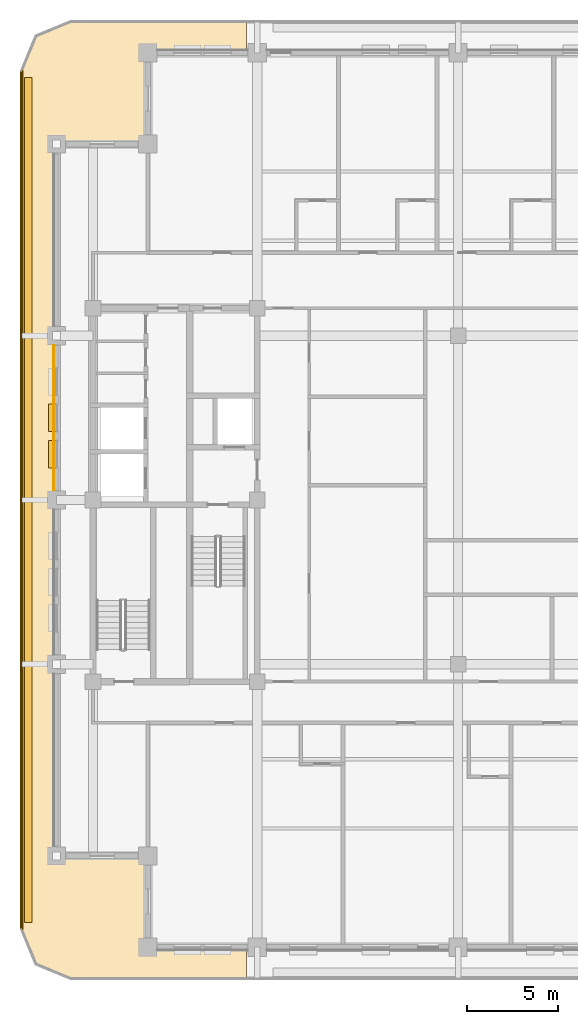
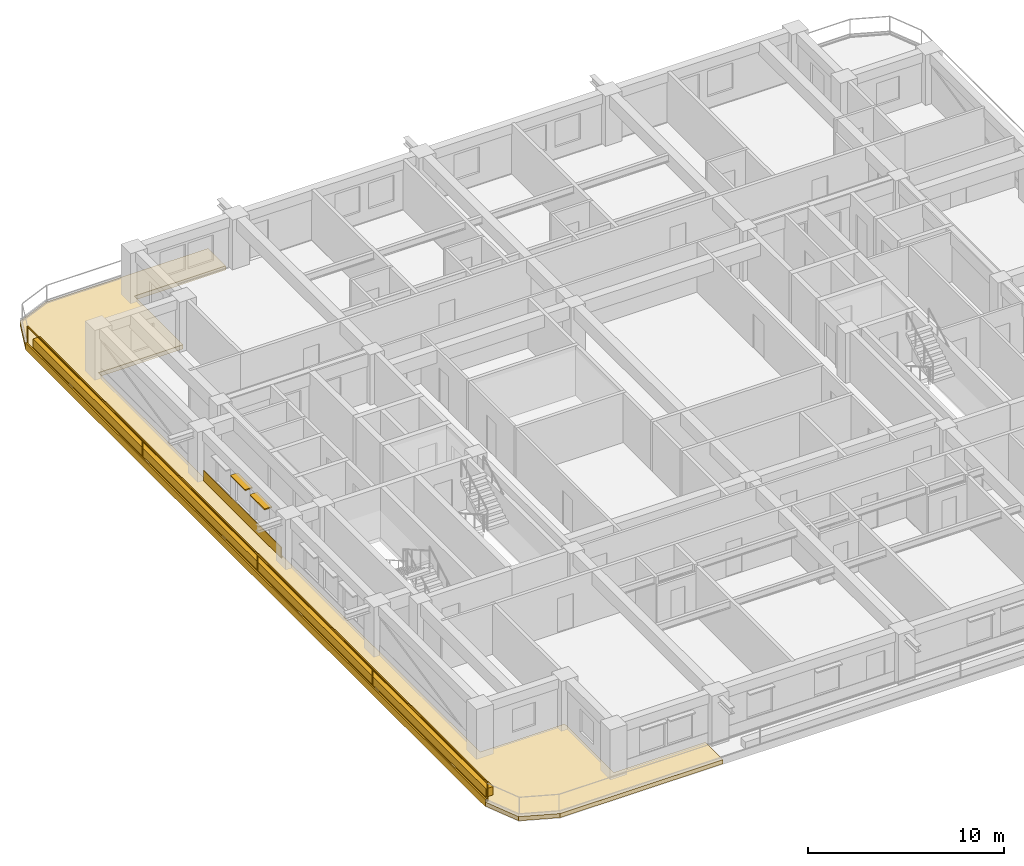
# One storey, part 11 of 15: 4 coverings, 2 shading devices, 1 railing.
"""IFC4 building model written with IfcOpenShell, lengths in metres."""

from ifc_helpers import new_model, si_unit, direction, frame, frame_2d, origin, origin_2d, place, context, subcontext, project, spatial, polyline, rectangle, outline, extrude, material, layer, layer_set, type_object, element, save


model = new_model("IFC4")

# Units and contexts
model_context = context("Model", 3, precision=1e-05, world=origin(), true_north=direction((0.0, 1.0)))
body_context = subcontext(model_context, "Body", "Model", "MODEL_VIEW")
ifc_project = project(units=[si_unit("LENGTHUNIT", "METRE"), si_unit("AREAUNIT", "SQUARE_METRE"), si_unit("VOLUMEUNIT", "CUBIC_METRE"), si_unit("PLANEANGLEUNIT", "RADIAN"), si_unit("MASSUNIT", "GRAM", prefix="KILO")], contexts=[model_context])

# Site, building, storey
site_placement = place(None, origin())
site = spatial("IfcSite", under=ifc_project, at=site_placement, CompositionType="ELEMENT")
building_placement = place(site_placement, origin())
building = spatial("IfcBuilding", under=site, at=building_placement, Name="Zulmaris Gate Convention Tower", CompositionType="ELEMENT")
storey_placement = place(building_placement, frame((0.0, 0.0, 172.85986328125)))
storey = spatial("IfcBuildingStorey", under=building, at=storey_placement, Name="L44", CompositionType="ELEMENT", Elevation=172.85986328125)

# Coverings
ifc_material_1 = material(Name="Precast concrete C40/50", Category="concrete")
ifc_layer_1 = layer(ifc_material_1, 0.0400390625, Name="Precast concrete C40/50")
ifc_layer_set_1 = layer_set([ifc_layer_1], Name="Precast concrete C40/50")
covering_type_1 = type_object("IfcCoveringType", Name="CLAD-SPANDREL-PRECAST", PredefinedType="CLADDING", material=ifc_layer_set_1)
covering_1_placement = place(storey_placement, frame((-22.14990234375, 8.469970703125, 0.0), z_axis=(0.0, 0.0, 1.0), x_axis=(0.0, -1.0, 0.0)))
element("IfcCovering", 1, at=covering_1_placement, inside=storey, type_object=covering_type_1, Name="CLD-L44-W-2_0", PredefinedType="CLADDING", context=body_context, shape_type="SweptSolid", body=[
    extrude(rectangle(XDim=7.93994140625, YDim=0.0400390625, at=frame_2d((3.969970703125, 0.0))), origin(), (0.0, 0.0, 1.0), 0.679931640625),
])
ifc_material_2 = material(Name="White Glazed Architectural Precast Concrete C40/50", Category="concrete")
ifc_layer_2 = layer(ifc_material_2, 0.239990234375, Name="White Glazed Architectural Precast Concrete C40/50")
ifc_layer_set_2 = layer_set([ifc_layer_2], Name="White Glazed Architectural Precast Concrete C40/50")
covering_type_2 = type_object("IfcCoveringType", Name="CLAD-TRAY-DECK", PredefinedType="CLADDING", material=ifc_layer_set_2)
covering_2_placement = place(storey_placement, frame((0.0, 0.0, -0.25)))
element("IfcCovering", 2, at=covering_2_placement, inside=storey, type_object=covering_type_2, Name="L44 West Rounded-Fascia Planter Tray Deck", PredefinedType="CLADDING", context=body_context, shape_type="SweptSolid", body=[
    extrude(outline(polyline([(-24.0, 23.5), (-23.179931640625, 25.47998046875), (-21.199951171875, 26.300048828125), (-11.60205078125, 26.300048828125), (-11.60205078125, 24.5), (-17.0, 24.5), (-17.0, 19.5), (-22.0, 19.5), (-22.0, -19.5), (-17.0, -19.5), (-17.0, -24.5), (-11.60205078125, -24.5), (-11.60205078125, -26.300048828125), (-21.199951171875, -26.300048828125), (-23.179931640625, -25.47998046875), (-24.0, -23.5), (-24.0, 23.5)])), origin(), (0.0, 0.0, 1.0), 0.260009765625),
])
ifc_layer_3 = layer(ifc_material_2, 0.080078125, Name="White Glazed Architectural Precast Concrete C40/50")
ifc_layer_set_3 = layer_set([ifc_layer_3], Name="White Glazed Architectural Precast Concrete C40/50")
covering_type_3 = type_object("IfcCoveringType", Name="CLAD-TRAY-FASCIA", PredefinedType="CLADDING", material=ifc_layer_set_3)
covering_3_placement = place(storey_placement, frame((-23.9599609375, 23.5, -0.2900390625), z_axis=(0.0, 0.0, 1.0), x_axis=(0.0, -1.0, 0.0)))
element("IfcCovering", 3, at=covering_3_placement, inside=storey, type_object=covering_type_3, Name="FSC-L44-TR-11", PredefinedType="CLADDING", context=body_context, shape_type="SweptSolid", body=[
    extrude(rectangle(XDim=47.0, YDim=0.080078125, at=frame_2d((23.5, 0.0))), origin(), (0.0, 0.0, 1.0), 0.4599609375),
])
ifc_material_3 = material(Name="Botanical Green Glazed Precast Concrete C40/50", Category="concrete")
ifc_layer_4 = layer(ifc_material_3, 0.419921875, Name="Botanical Green Glazed Precast Concrete C40/50")
ifc_layer_set_4 = layer_set([ifc_layer_4], Name="Botanical Green Glazed Precast Concrete C40/50")
covering_type_4 = type_object("IfcCoveringType", Name="PLANTER-BOX-200", PredefinedType="CLADDING", material=ifc_layer_set_4)
covering_4_placement = place(storey_placement, frame((0.0, 0.0, 0.010009765625)))
element("IfcCovering", 4, at=covering_4_placement, inside=storey, type_object=covering_type_4, Name="L44 W Full-Length Balcony Tree Planter Trough", PredefinedType="CLADDING", context=body_context, shape_type="SweptSolid", body=[
    extrude(outline(polyline([(-23.760009765625, -23.14990234375), (-23.340087890625, -23.14990234375), (-23.340087890625, 23.14990234375), (-23.760009765625, 23.14990234375), (-23.760009765625, -23.14990234375)])), origin(), (0.0, 0.0, 1.0), 0.52001953125),
])

# Railing
ifc_material_4 = material(Name="Laminated Glass and Stainless Steel", Category="steel")
railing_type = type_object("IfcRailingType", Name="RL-BALC-1150", PredefinedType="BALUSTRADE", material=ifc_material_4)
railing_placement = place(storey_placement, frame((-23.8798828125, 23.5, 0.010009765625)))
element("IfcRailing", 5, at=railing_placement, inside=storey, type_object=railing_type, Name="RL-L44-BALC-W", PredefinedType="BALUSTRADE", context=body_context, shape_type="SweptSolid", body=[
    extrude(rectangle(XDim=0.048095703125, YDim=0.048095703125, at=origin_2d()), frame((0.0, 0.0, 1.1259765625), z_axis=(0.0, -1.0, 0.0), x_axis=(1.0, 0.0, 0.0)), (0.0, 0.0, 1.0), 47.0),
    extrude(rectangle(XDim=0.048095703125, YDim=0.048095703125, at=origin_2d()), frame((0.0, 0.0, 0.02392578125), z_axis=(0.0, -1.0, 0.0), x_axis=(1.0, 0.0, 0.0)), (0.0, 0.0, 1.0), 47.0),
    extrude(rectangle(XDim=0.0419921875, YDim=0.0419921875, at=origin_2d()), origin(), (0.0, 0.0, 1.0), 1.101806640625),
    extrude(rectangle(XDim=0.0419921875, YDim=0.0419921875, at=origin_2d()), frame((0.0, -11.75, 0.0)), (0.0, 0.0, 1.0), 1.101806640625),
    extrude(rectangle(XDim=0.0419921875, YDim=0.0419921875, at=origin_2d()), frame((0.0, -23.5, 0.0)), (0.0, 0.0, 1.0), 1.101806640625),
    extrude(rectangle(XDim=0.0419921875, YDim=0.0419921875, at=origin_2d()), frame((0.0, -35.25, 0.0)), (0.0, 0.0, 1.0), 1.101806640625),
    extrude(rectangle(XDim=0.0419921875, YDim=0.0419921875, at=origin_2d()), frame((0.0, -47.0, 0.0)), (0.0, 0.0, 1.0), 1.101806640625),
])

# Shading devices
ifc_material_5 = material(Name="Glazed Ceramic Terracotta", Category="masonry")
ifc_layer_5 = layer(ifc_material_5, 0.070068359375, Name="Glazed Ceramic Terracotta")
ifc_layer_set_5 = layer_set([ifc_layer_5], Name="Glazed Ceramic Terracotta")
shading_device_type = type_object("IfcShadingDeviceType", Name="SHD-SUNSHADE-TC", PredefinedType="AWNING", material=ifc_layer_set_5)
for number, where, z_axis, x_axis, name in (
    (6, (-22.219970703125, 5.25, 2.35009765625), (0.0, 0.0, 1.0), (0.0, -1.0, 0.0), "SHD-EW-L44-W-2_0-2"),
    (7, (-22.219970703125, 3.264892578125, 2.35009765625), (0.0, 0.0, 1.0), (0.0, -1.0, 0.0), "SHD-EW-L44-W-2_0-3"),
):
    element("IfcShadingDevice", number, at=place(storey_placement, frame(where, z_axis=z_axis, x_axis=x_axis)), inside=storey, type_object=shading_device_type, Name=name, PredefinedType="AWNING", context=body_context, shape_type="SweptSolid", body=[
        extrude(rectangle(XDim=1.5, YDim=0.43994140625, at=frame_2d((0.75, 0.0))), origin(), (0.0, 0.0, 1.0), 0.06982421875),
    ])

save(model, "model.ifc")
